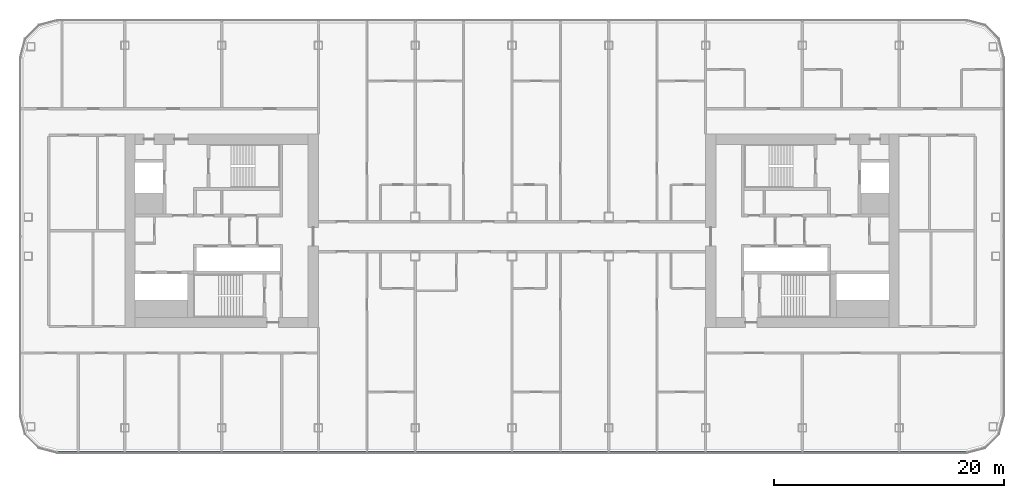
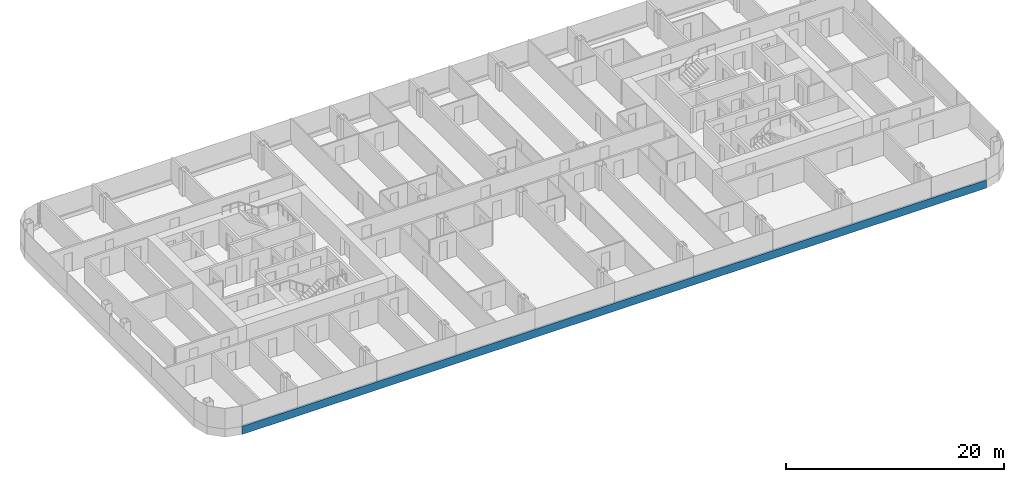
# One storey, part 4 of 26: 1 member, 1 element without a shape of its own.
"""IFC4 building model written with IfcOpenShell, lengths in metres."""

from ifc_helpers import new_model, si_unit, direction, frame, origin, origin_2d, place, context, subcontext, project, spatial, rectangle, extrude, material, layer, layer_set, material_profile, profile_set, type_object, element, aggregate, save


model = new_model("IFC4")

# Units and contexts
model_context = context("Model", 3, precision=1e-05, world=origin(), true_north=direction((0.0, 1.0)))
body_context = subcontext(model_context, "Body", "Model", "MODEL_VIEW")
ifc_project = project(units=[si_unit("LENGTHUNIT", "METRE"), si_unit("AREAUNIT", "SQUARE_METRE"), si_unit("VOLUMEUNIT", "CUBIC_METRE"), si_unit("PLANEANGLEUNIT", "RADIAN"), si_unit("MASSUNIT", "GRAM", prefix="KILO")], contexts=[model_context])

# Site, building, storey
site_placement = place(None, origin())
site = spatial("IfcSite", under=ifc_project, at=site_placement, CompositionType="ELEMENT")
building_placement = place(site_placement, origin())
building = spatial("IfcBuilding", under=site, at=building_placement, Name="Hakoniwa Tower and Hamabe Station Hall", CompositionType="ELEMENT")
storey_placement = place(building_placement, frame((0.0, 0.0, 143.800048828125)))
storey = spatial("IfcBuildingStorey", under=building, at=storey_placement, Name="L40", CompositionType="ELEMENT", Elevation=143.800048828125)

# Curtain wall, member
ifc_material_1 = material(Name="Dark low-e laminated glass", Category="glass")
ifc_layer = layer(ifc_material_1, 0.199951171875)
ifc_layer_set = layer_set([ifc_layer], Name="CW-1 UNITISED GUEST")
curtain_wall_type = type_object("IfcCurtainWallType", Name="CW-1 UNITISED GUEST", PredefinedType="NOTDEFINED", material=ifc_layer_set)
curtain_wall_placement = place(storey_placement, origin())
curtain_wall = element("IfcCurtainWall", 1, at=curtain_wall_placement, inside=storey, type_object=curtain_wall_type, Name="CW-1 curtain wall", PredefinedType="NOTDEFINED")
ifc_material_2 = material(Name="Aluminium 6063-T5 black anodised", Category="aluminium")
ifc_material_profile = material_profile(ifc_material_2, rectangle(XDim=0.199951171875, YDim=0.89990234375, at=origin_2d()), Name="CW SLAB-EDGE BAND 900X200")
ifc_profile_set = profile_set([ifc_material_profile], Name="Aluminium 6063-T5 black anodised")
member_type = type_object("IfcMemberType", Name="CW SLAB-EDGE BAND 900X200", PredefinedType="USERDEFINED", material=ifc_profile_set)
member_placement = place(storey_placement, frame((-39.439453125, -19.199951171875, -0.10009765625), z_axis=(1.0, 0.0, 0.0), x_axis=(0.0, 1.0, 0.0)))
member = element("IfcMember", 2, at=member_placement, type_object=member_type, Name="CW-1 transom", ObjectType="TRANSOM", PredefinedType="USERDEFINED", context=body_context, shape_type="SweptSolid", body=[
    extrude(rectangle(XDim=0.199951171875, YDim=0.89990234375, at=origin_2d()), origin(), (0.0, 0.0, 1.0), 78.87890625),
])
aggregate(curtain_wall, [member])

save(model, "model.ifc")
